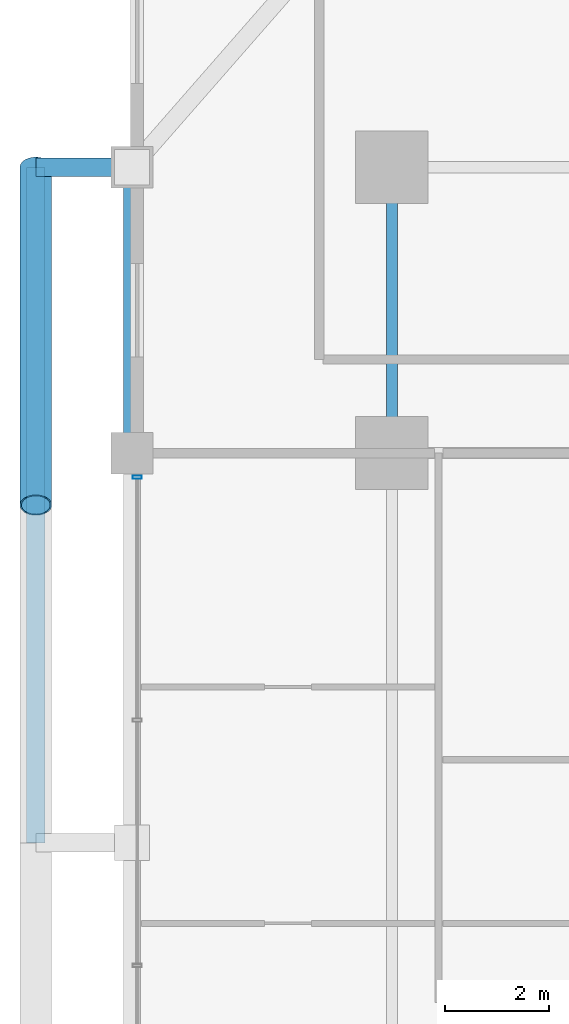
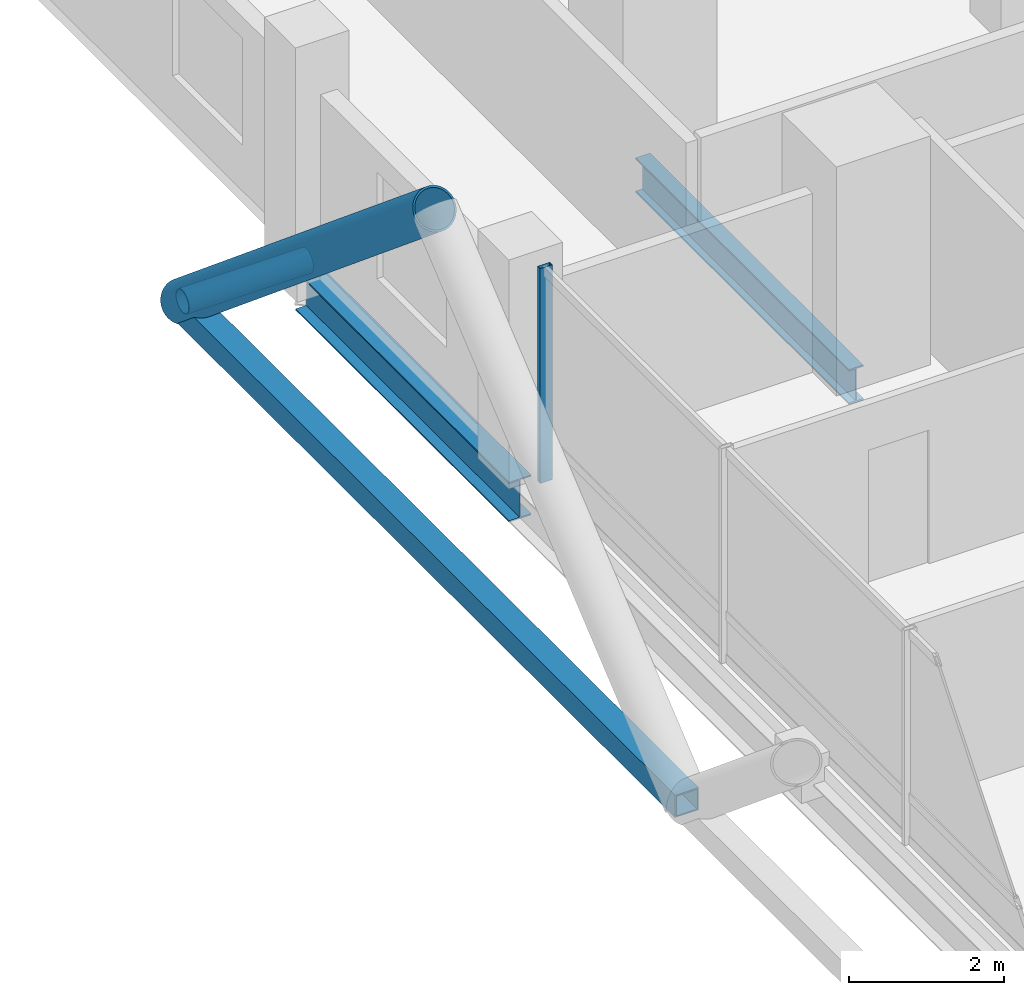
# One storey, part 13 of 27: 4 members, 2 beams, 1 element without a shape of its own.
"""IFC4 building model written with IfcOpenShell, lengths in metres."""

from ifc_helpers import new_model, si_unit, direction, frame, origin, origin_2d, place, context, subcontext, project, spatial, hollow_rectangle, hollow_circle, i_section, extrude, material, layer, layer_set, material_profile, profile_set, type_object, element, aggregate, save


model = new_model("IFC4")

# Units and contexts
model_context = context("Model", 3, precision=1e-05, world=origin(), true_north=direction((0.0, 1.0)))
body_context = subcontext(model_context, "Body", "Model", "MODEL_VIEW")
ifc_project = project(units=[si_unit("LENGTHUNIT", "METRE"), si_unit("AREAUNIT", "SQUARE_METRE"), si_unit("VOLUMEUNIT", "CUBIC_METRE"), si_unit("PLANEANGLEUNIT", "RADIAN"), si_unit("MASSUNIT", "GRAM", prefix="KILO")], contexts=[model_context])

# Site, building, storey
site_placement = place(None, origin())
site = spatial("IfcSite", under=ifc_project, at=site_placement, CompositionType="ELEMENT")
building_placement = place(site_placement, origin())
building = spatial("IfcBuilding", under=site, at=building_placement, Name="Barlavira Tower and Art Museum", CompositionType="ELEMENT")
storey_placement = place(building_placement, frame((0.0, 0.0, 61.199951171875)))
storey = spatial("IfcBuildingStorey", under=building, at=storey_placement, Name="L14", CompositionType="ELEMENT", Elevation=61.199951171875)

# Curtain wall, member
ifc_material_1 = material(Name="Low-iron coastal laminated glass", Category="glass")
ifc_layer = layer(ifc_material_1, 0.179931640625, Name="Low-iron coastal laminated glass")
ifc_layer_set = layer_set([ifc_layer], Name="Low-iron coastal laminated glass")
curtain_wall_type = type_object("IfcCurtainWallType", Name="Pale-Metal Unitised Curtain Wall Zone 1", PredefinedType="NOTDEFINED", material=ifc_layer_set)
curtain_wall_placement = place(storey_placement, origin())
curtain_wall = element("IfcCurtainWall", 1, at=curtain_wall_placement, inside=storey, type_object=curtain_wall_type, Name="L14 Curtain Wall CW1-L14-W-B3", PredefinedType="NOTDEFINED")
ifc_material_2 = material(Name="Pale anodised aluminium", Category="aluminium")
ifc_material_profile_1 = material_profile(ifc_material_2, hollow_rectangle(XDim=0.06494140625, YDim=0.179931640625, WallThickness=0.00390625, at=origin_2d()), Name="ALU-MULL 65x180x4")
ifc_profile_set_1 = profile_set([ifc_material_profile_1], Name="Pale anodised aluminium")
member_type_1 = type_object("IfcMemberType", Name="Curtain Wall Pale-Metal Mullion 65x180", PredefinedType="MULLION", material=ifc_profile_set_1)
member_1_placement = place(storey_placement, frame((-21.89990234375, 7.034912109375, 0.0), z_axis=(0.0, 0.0, 1.0), x_axis=(0.0, -1.0, 0.0)))
member_1 = element("IfcMember", 2, at=member_1_placement, type_object=member_type_1, Name="CW1-L14-W-B3 Mullion 0", PredefinedType="MULLION", context=body_context, shape_type="SweptSolid", body=[
    extrude(hollow_rectangle(XDim=0.06494140625, YDim=0.179931640625, WallThickness=0.00390625, at=origin_2d()), origin(), (0.0, 0.0, 1.0), 3.380126953125),
])
aggregate(curtain_wall, [member_1])

# Members
ifc_material_3 = material(Name="Steel S355", Category="steel")
ifc_material_profile_2 = material_profile(ifc_material_3, hollow_circle(Radius=0.304931640625, WallThickness=0.028076171875, at=origin_2d()), Name="CHS 610.0x28.0")
ifc_profile_set_2 = profile_set([ifc_material_profile_2], Name="Steel S355")
member_type_2 = type_object("IfcMemberType", Name="Pale-Metal Exoskeleton Diagrid Tube CHS 610x28 Steel S355", PredefinedType="BRACE", material=ifc_profile_set_2)
member_2_placement = place(storey_placement, frame((-23.85009765625, 13.0, -0.119873046875), z_axis=(0.0, -0.769196053329, 0.639012857104), x_axis=(1.0, 0.0, 0.0)))
element("IfcMember", 3, at=member_2_placement, inside=storey, type_object=member_type_2, Name="L14 Exoskeleton Diagrid Tube W", PredefinedType="BRACE", context=body_context, shape_type="SweptSolid", body=[
    extrude(hollow_circle(Radius=0.304931640625, WallThickness=0.028076171875, at=origin_2d()), origin(), (0.0, 0.0, 1.0), 8.450439453125),
])
ifc_material_profile_3 = material_profile(ifc_material_3, hollow_rectangle(XDim=0.35009765625, YDim=0.35009765625, WallThickness=0.02001953125, at=origin_2d()), Name="SHS 350x350x20.0")
ifc_profile_set_3 = profile_set([ifc_material_profile_3], Name="Steel S355")
member_type_3 = type_object("IfcMemberType", Name="Pale-Metal Exoskeleton Ring Strut SHS 350x350x20 Steel S355", PredefinedType="STRUT", material=ifc_profile_set_3)
member_3_placement = place(storey_placement, frame((-23.85009765625, 0.0, -0.119873046875), z_axis=(0.0, 1.0, 0.0), x_axis=(-1.0, 0.0, 0.0)))
element("IfcMember", 4, at=member_3_placement, inside=storey, type_object=member_type_3, Name="L14 Exoskeleton Ring Strut W", PredefinedType="STRUT", context=body_context, shape_type="SweptSolid", body=[
    extrude(hollow_rectangle(XDim=0.35009765625, YDim=0.35009765625, WallThickness=0.02001953125, at=origin_2d()), origin(), (0.0, 0.0, 1.0), 13.0),
])
ifc_material_profile_4 = material_profile(ifc_material_3, hollow_circle(Radius=0.177734375, WallThickness=0.01611328125, at=origin_2d()), Name="CHS 355.6x16.0")
ifc_profile_set_4 = profile_set([ifc_material_profile_4], Name="Steel S355")
member_type_4 = type_object("IfcMemberType", Name="Pale-Metal Exoskeleton Tie Strut CHS 356x16 Steel S355", PredefinedType="STRUT", material=ifc_profile_set_4)
member_4_placement = place(storey_placement, frame((-23.85009765625, 13.0, -0.119873046875), z_axis=(1.0, 0.0, 0.0), x_axis=(0.0, 1.0, 0.0)))
element("IfcMember", 5, at=member_4_placement, inside=storey, type_object=member_type_4, Name="L14 Exoskeleton Tie Strut W3", PredefinedType="STRUT", context=body_context, shape_type="SweptSolid", body=[
    extrude(hollow_circle(Radius=0.177734375, WallThickness=0.01611328125, at=origin_2d()), origin(), (0.0, 0.0, 1.0), 1.85009765625),
])

# Beams
ifc_material_profile_5 = material_profile(ifc_material_3, i_section(OverallWidth=0.327880859375, OverallDepth=0.62890625, WebThickness=0.013916015625, FlangeThickness=0.021484375, at=origin_2d()), Name="W610x174.0")
ifc_profile_set_5 = profile_set([ifc_material_profile_5], Name="Steel S355")
beam_type_1 = type_object("IfcBeamType", Name="Perimeter Spandrel Edge Beam W610x174 Steel S355", PredefinedType="SPANDREL", material=ifc_profile_set_5)
beam_1_placement = place(storey_placement, frame((-22.0, 7.5, -0.534423828125), z_axis=(0.0, 1.0, 0.0), x_axis=(-1.0, 0.0, 0.0)))
element("IfcBeam", 6, at=beam_1_placement, inside=storey, type_object=beam_type_1, Name="L14 Spandrel 13", PredefinedType="SPANDREL", context=body_context, shape_type="SweptSolid", body=[
    extrude(i_section(OverallWidth=0.327880859375, OverallDepth=0.62890625, WebThickness=0.013916015625, FlangeThickness=0.021484375, at=origin_2d()), origin(), (0.0, 0.0, 1.0), 5.5),
])
ifc_material_profile_6 = material_profile(ifc_material_3, i_section(OverallWidth=0.214111328125, OverallDepth=0.549072265625, WebThickness=0.0146484375, FlangeThickness=0.023681640625, at=origin_2d()), Name="W530x138.0")
ifc_profile_set_6 = profile_set([ifc_material_profile_6], Name="Steel S355")
beam_type_2 = type_object("IfcBeamType", Name="Zone 1 Primary Floor Girder W530x138 Steel S355", PredefinedType="BEAM", material=ifc_profile_set_6)
beam_2_placement = place(storey_placement, frame((-17.0, 7.5, -0.494384765625), z_axis=(0.0, 1.0, 0.0), x_axis=(-1.0, 0.0, 0.0)))
element("IfcBeam", 7, at=beam_2_placement, inside=storey, type_object=beam_type_2, Name="L14 Girder M-W3", PredefinedType="BEAM", context=body_context, shape_type="SweptSolid", body=[
    extrude(i_section(OverallWidth=0.214111328125, OverallDepth=0.549072265625, WebThickness=0.0146484375, FlangeThickness=0.023681640625, at=origin_2d()), origin(), (0.0, 0.0, 1.0), 5.5),
])

save(model, "model.ifc")
